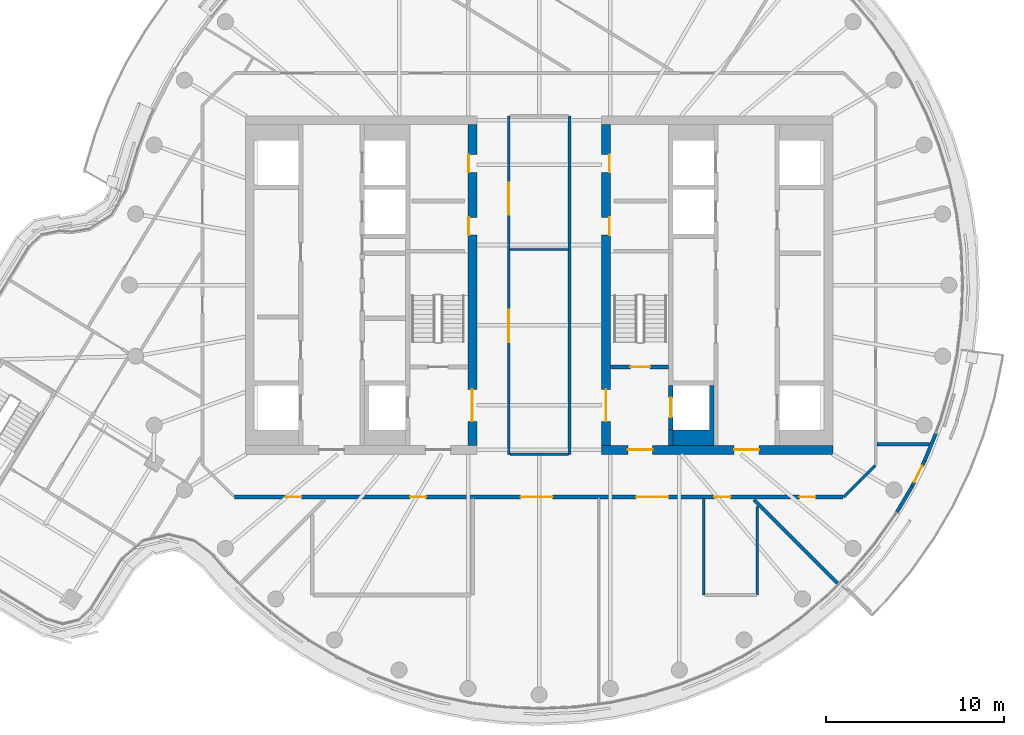
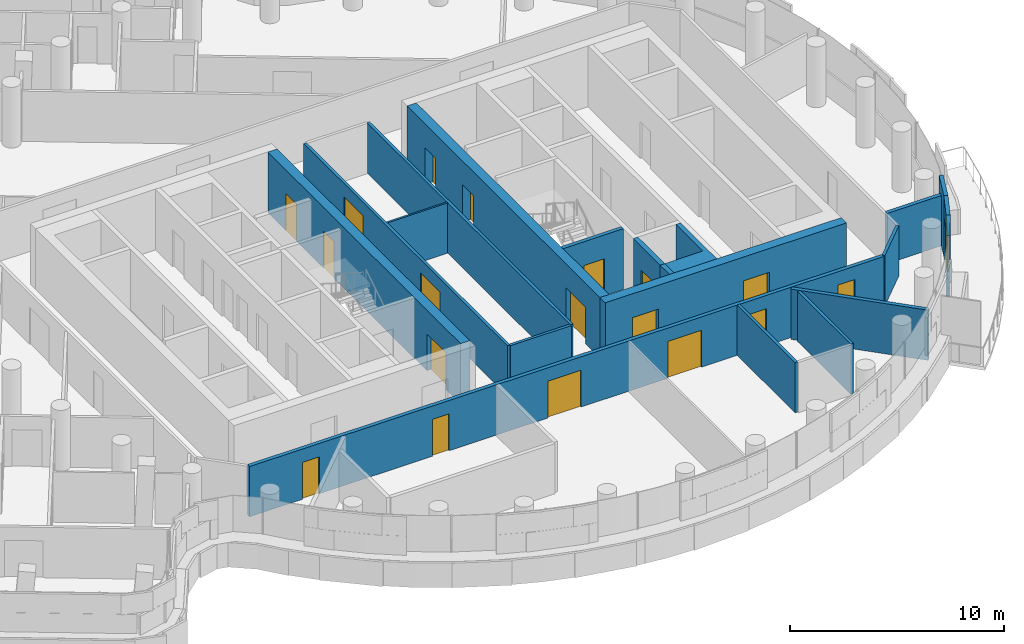
# One storey, part 18 of 27: 20 walls, 19 doors, 19 openings.
"""IFC4 building model written with IfcOpenShell, lengths in metres."""

from ifc_helpers import new_model, si_unit, direction, frame, frame_2d, origin, place, context, subcontext, project, spatial, polyline, rectangle, outline, extrude, material, layer, layer_set, type_object, element, fill, save


model = new_model("IFC4")

# Units and contexts
model_context = context("Model", 3, precision=1e-05, world=origin(), true_north=direction((0.0, 1.0)))
body_context = subcontext(model_context, "Body", "Model", "MODEL_VIEW")
ifc_project = project(units=[si_unit("LENGTHUNIT", "METRE"), si_unit("AREAUNIT", "SQUARE_METRE"), si_unit("VOLUMEUNIT", "CUBIC_METRE"), si_unit("PLANEANGLEUNIT", "RADIAN"), si_unit("MASSUNIT", "GRAM", prefix="KILO")], contexts=[model_context])

# Site, building, storey
site_placement = place(None, origin())
site = spatial("IfcSite", under=ifc_project, at=site_placement, CompositionType="ELEMENT")
building_placement = place(site_placement, origin())
building = spatial("IfcBuilding", under=site, at=building_placement, Name="Tamarind Cross Interchange Tower", CompositionType="ELEMENT")
storey_placement = place(building_placement, frame((0.0, 0.0, 245.10009765625)))
storey = spatial("IfcBuildingStorey", under=building, at=storey_placement, Name="L62", CompositionType="ELEMENT", Elevation=245.10009765625)

# Walls
ifc_material_1 = material(Name="Concrete C40", Category="concrete")
ifc_layer_1 = layer(ifc_material_1, 0.199951171875)
ifc_layer_set_1 = layer_set([ifc_layer_1], Name="Concrete C40")
wall_type_1 = type_object("IfcWallType", Name="Balcony and garden door wall", PredefinedType="SOLIDWALL", material=ifc_layer_set_1)
wall_1_placement = place(storey_placement, frame((20.08203125, -12.7509765625, 0.0), z_axis=(0.0, 0.0, 1.0), x_axis=(0.508205434936, 0.86123587704, 0.0)))
element("IfcWall", 1, at=wall_1_placement, inside=storey, type_object=wall_type_1, Name="EXW-L62-06-D11L", PredefinedType="SOLIDWALL", context=body_context, shape_type="SweptSolid", body=[
    extrude(rectangle(XDim=1.66455078125, YDim=0.199951171875, at=frame_2d((0.832275390625, 0.0))), origin(), (0.0, 0.0, 1.0), 3.4599609375),
])
wall_2_placement = place(storey_placement, frame((21.63134765625, -9.880615234375, 0.0), z_axis=(0.0, 0.0, 1.0), x_axis=(0.380860529155, 0.924632498527, 0.0)))
element("IfcWall", 2, at=wall_2_placement, inside=storey, type_object=wall_type_1, Name="EXW-L62-06-D11R", PredefinedType="SOLIDWALL", context=body_context, shape_type="SweptSolid", body=[
    extrude(rectangle(XDim=1.66357421875, YDim=0.199951171875, at=frame_2d((0.831787109375, 0.0))), origin(), (0.0, 0.0, 1.0), 3.4599609375),
])

# Wall, opening, door
wall_3_placement = place(storey_placement, frame((20.927978515625, -11.3173828125, 0.0), z_axis=(0.0, 0.0, 1.0), x_axis=(0.439689088119, 0.898150046367, 0.0)))
wall_3 = element("IfcWall", 3, at=wall_3_placement, inside=storey, type_object=wall_type_1, Name="EXW-L62-06-D11", PredefinedType="SOLIDWALL", context=body_context, shape_type="SweptSolid", body=[
    extrude(rectangle(XDim=1.599609375, YDim=0.199951171875, at=frame_2d((0.7998046875, 0.0))), origin(), (0.0, 0.0, 1.0), 3.4599609375),
])
opening_1_placement = place(wall_3_placement, frame((0.2998046875, 0.0, 0.0)))
opening_1 = element("IfcOpeningElement", 4, at=opening_1_placement, cuts=wall_3, Name="Opening D2", PredefinedType="OPENING", context=body_context, shape_type="SweptSolid", body=[
    extrude(rectangle(XDim=1.0, YDim=2.39990234375, at=frame_2d((0.5, 1.199951171875))), frame((0.0, 0.10986328125, 0.0), z_axis=(0.0, -1.0, 0.0), x_axis=(1.0, 0.0, 0.0)), (0.0, 0.0, 1.0), 0.219970703125),
])
ifc_material_2 = material(Name="Aluminium and toughened glass", Category="aluminium")
door_type_1 = type_object("IfcDoorType", Name="Balcony and garden door", OperationType="SINGLE_SWING_LEFT", PredefinedType="DOOR", material=ifc_material_2)
door_1_placement = place(opening_1_placement, origin())
door_1 = element("IfcDoor", 5, at=door_1_placement, inside=storey, type_object=door_type_1, Name="DOR-L62-06-11", OperationType="SINGLE_SWING_LEFT", OverallHeight=2.39990234375, OverallWidth=1.0, PredefinedType="DOOR", context=body_context, shape_type="SweptSolid", body=[
    extrude(rectangle(XDim=1.0, YDim=2.39990234375, at=frame_2d((0.5, 1.199951171875))), frame((0.0, 0.02490234375, 0.0), z_axis=(0.0, -1.0, 0.0), x_axis=(1.0, 0.0, 0.0)), (0.0, 0.0, 1.0), 0.050048828125),
])
fill(opening_1, door_1)

# Wall, openings, doors
ifc_material_3 = material(Name="Concrete C50", Category="concrete")
ifc_layer_2 = layer(ifc_material_3, 0.5)
ifc_layer_set_2 = layer_set([ifc_layer_2], Name="Concrete C50")
wall_type_2 = type_object("IfcWallType", Name="Core wall 500 mm Concrete C50", PredefinedType="SHEAR", material=ifc_layer_set_2)
wall_4_placement = place(storey_placement, frame((-3.75, -9.0, 0.0), z_axis=(0.0, 0.0, 1.0), x_axis=(0.0, 1.0, 0.0)))
wall_4 = element("IfcWall", 6, at=wall_4_placement, inside=storey, type_object=wall_type_2, Name="Core wall CWL-L62-W-IN", PredefinedType="SHEAR", context=body_context, shape_type="SweptSolid", body=[
    extrude(rectangle(XDim=18.0, YDim=0.5, at=frame_2d((9.0, 0.0))), origin(), (0.0, 0.0, 1.0), 3.4599609375),
])
opening_2_placement = place(wall_4_placement, frame((1.35009765625, 0.0, 0.0)))
opening_2 = element("IfcOpeningElement", 7, at=opening_2_placement, cuts=wall_4, Name="Opening DCW4", PredefinedType="OPENING", context=body_context, shape_type="SweptSolid", body=[
    extrude(rectangle(XDim=1.800048828125, YDim=2.10009765625, at=frame_2d((0.89990234375, 1.050048828125))), frame((0.0, 0.260009765625, 0.0), z_axis=(0.0, -1.0, 0.0), x_axis=(1.0, 0.0, 0.0)), (0.0, 0.0, 1.0), 0.52001953125),
])
opening_3_placement = place(wall_4_placement, frame((11.797607421875, 0.0, 0.0)))
opening_3 = element("IfcOpeningElement", 8, at=opening_3_placement, cuts=wall_4, Name="Opening DCW5", PredefinedType="OPENING", context=body_context, shape_type="SweptSolid", body=[
    extrude(rectangle(XDim=1.0, YDim=2.10009765625, at=frame_2d((0.5, 1.050048828125))), frame((0.0, 0.260009765625, 0.0), z_axis=(0.0, -1.0, 0.0), x_axis=(1.0, 0.0, 0.0)), (0.0, 0.0, 1.0), 0.52001953125),
])
opening_4_placement = place(wall_4_placement, frame((15.322509765625, 0.0, 0.0)))
opening_4 = element("IfcOpeningElement", 9, at=opening_4_placement, cuts=wall_4, Name="Opening DCW5", PredefinedType="OPENING", context=body_context, shape_type="SweptSolid", body=[
    extrude(rectangle(XDim=1.0, YDim=2.10009765625, at=frame_2d((0.5, 1.050048828125))), frame((0.0, 0.260009765625, 0.0), z_axis=(0.0, -1.0, 0.0), x_axis=(1.0, 0.0, 0.0)), (0.0, 0.0, 1.0), 0.52001953125),
])
ifc_material_4 = material(Name="Steel, fire-resisting", Category="steel")
door_type_2 = type_object("IfcDoorType", Name="Core fire door 1000 x 2100 FD90", OperationType="SINGLE_SWING_LEFT", PredefinedType="DOOR", material=ifc_material_4)
door_2_placement = place(opening_3_placement, origin())
door_2 = element("IfcDoor", 10, at=door_2_placement, inside=storey, type_object=door_type_2, Name="L62 linen press door", OperationType="SINGLE_SWING_LEFT", OverallHeight=2.10009765625, OverallWidth=1.0, PredefinedType="DOOR", context=body_context, shape_type="SweptSolid", body=[
    extrude(rectangle(XDim=1.0, YDim=2.10009765625, at=frame_2d((0.5, 1.050048828125))), frame((0.0, 0.22509765625, 0.0), z_axis=(0.0, -1.0, 0.0), x_axis=(1.0, 0.0, 0.0)), (0.0, 0.0, 1.0), 0.050048828125),
])
fill(opening_3, door_2)
door_3_placement = place(opening_4_placement, origin())
door_3 = element("IfcDoor", 11, at=door_3_placement, inside=storey, type_object=door_type_2, Name="L62 housekeeping pantry door", OperationType="SINGLE_SWING_LEFT", OverallHeight=2.10009765625, OverallWidth=1.0, PredefinedType="DOOR", context=body_context, shape_type="SweptSolid", body=[
    extrude(rectangle(XDim=1.0, YDim=2.10009765625, at=frame_2d((0.5, 1.050048828125))), frame((0.0, 0.22509765625, 0.0), z_axis=(0.0, -1.0, 0.0), x_axis=(1.0, 0.0, 0.0)), (0.0, 0.0, 1.0), 0.050048828125),
])
fill(opening_4, door_3)
door_type_3 = type_object("IfcDoorType", Name="Core fire door 1800 x 2100 FD90", OperationType="SINGLE_SWING_LEFT", PredefinedType="DOOR", material=ifc_material_4)
door_4_placement = place(opening_2_placement, origin())
door_4 = element("IfcDoor", 12, at=door_4_placement, inside=storey, type_object=door_type_3, Name="L62 firefighting lobby door", OperationType="SINGLE_SWING_LEFT", OverallHeight=2.10009765625, OverallWidth=1.800048828125, PredefinedType="DOOR", context=body_context, shape_type="SweptSolid", body=[
    extrude(rectangle(XDim=1.800048828125, YDim=2.10009765625, at=frame_2d((0.89990234375, 1.050048828125))), frame((0.0, 0.02490234375, 0.0), z_axis=(0.0, -1.0, 0.0), x_axis=(1.0, 0.0, 0.0)), (0.0, 0.0, 1.0), 0.050048828125),
])
fill(opening_2, door_4)

wall_5_placement = place(storey_placement, frame((16.5, -9.25, 0.0), z_axis=(0.0, 0.0, 1.0), x_axis=(-1.0, 0.0, 0.0)))
wall_5 = element("IfcWall", 13, at=wall_5_placement, inside=storey, type_object=wall_type_2, Name="Core wall CWL-L62-E-S", PredefinedType="SHEAR", context=body_context, shape_type="SweptSolid", body=[
    extrude(rectangle(XDim=13.0, YDim=0.5, at=frame_2d((6.5, 0.0))), origin(), (0.0, 0.0, 1.0), 3.4599609375),
])
opening_5_placement = place(wall_5_placement, frame((4.14990234375, 0.0, 0.0)))
opening_5 = element("IfcOpeningElement", 14, at=opening_5_placement, cuts=wall_5, Name="Opening DCE1", PredefinedType="OPENING", context=body_context, shape_type="SweptSolid", body=[
    extrude(rectangle(XDim=1.39990234375, YDim=2.10009765625, at=frame_2d((0.699951171875, 1.050048828125))), frame((0.0, 0.260009765625, 0.0), z_axis=(0.0, -1.0, 0.0), x_axis=(1.0, 0.0, 0.0)), (0.0, 0.0, 1.0), 0.52001953125),
])
opening_6_placement = place(wall_5_placement, frame((10.125, 0.0, 0.0)))
opening_6 = element("IfcOpeningElement", 15, at=opening_6_placement, cuts=wall_5, Name="Opening DCEF", PredefinedType="OPENING", context=body_context, shape_type="SweptSolid", body=[
    extrude(rectangle(XDim=1.39990234375, YDim=2.10009765625, at=frame_2d((0.699951171875, 1.050048828125))), frame((0.0, 0.260009765625, 0.0), z_axis=(0.0, -1.0, 0.0), x_axis=(1.0, 0.0, 0.0)), (0.0, 0.0, 1.0), 0.52001953125),
])
door_type_4 = type_object("IfcDoorType", Name="Core fire door 1400 x 2100 FD90", OperationType="SINGLE_SWING_LEFT", PredefinedType="DOOR", material=ifc_material_4)
door_5_placement = place(opening_5_placement, origin())
door_5 = element("IfcDoor", 16, at=door_5_placement, inside=storey, type_object=door_type_4, Name="L62 lift lobby door", OperationType="SINGLE_SWING_LEFT", OverallHeight=2.10009765625, OverallWidth=1.39990234375, PredefinedType="DOOR", context=body_context, shape_type="SweptSolid", body=[
    extrude(rectangle(XDim=1.39990234375, YDim=2.10009765625, at=frame_2d((0.699951171875, 1.050048828125))), frame((0.0, 0.02490234375, 0.0), z_axis=(0.0, -1.0, 0.0), x_axis=(1.0, 0.0, 0.0)), (0.0, 0.0, 1.0), 0.050048828125),
])
fill(opening_5, door_5)
door_6_placement = place(opening_6_placement, origin())
door_6 = element("IfcDoor", 17, at=door_6_placement, inside=storey, type_object=door_type_4, Name="L62 firefighting lobby end door", OperationType="SINGLE_SWING_LEFT", OverallHeight=2.10009765625, OverallWidth=1.39990234375, PredefinedType="DOOR", context=body_context, shape_type="SweptSolid", body=[
    extrude(rectangle(XDim=1.39990234375, YDim=2.10009765625, at=frame_2d((0.699951171875, 1.050048828125))), frame((0.0, 0.02490234375, 0.0), z_axis=(0.0, -1.0, 0.0), x_axis=(1.0, 0.0, 0.0)), (0.0, 0.0, 1.0), 0.050048828125),
])
fill(opening_6, door_6)

wall_6_placement = place(storey_placement, frame((3.75, -9.0, 0.0), z_axis=(0.0, 0.0, 1.0), x_axis=(0.0, 1.0, 0.0)))
wall_6 = element("IfcWall", 18, at=wall_6_placement, inside=storey, type_object=wall_type_2, Name="Core wall CWL-L62-E-IN", PredefinedType="SHEAR", context=body_context, shape_type="SweptSolid", body=[
    extrude(rectangle(XDim=18.0, YDim=0.5, at=frame_2d((9.0, 0.0))), origin(), (0.0, 0.0, 1.0), 3.4599609375),
])
opening_7_placement = place(wall_6_placement, frame((1.35009765625, 0.0, 0.0)))
opening_7 = element("IfcOpeningElement", 19, at=opening_7_placement, cuts=wall_6, Name="Opening DCE4", PredefinedType="OPENING", context=body_context, shape_type="SweptSolid", body=[
    extrude(rectangle(XDim=1.800048828125, YDim=2.10009765625, at=frame_2d((0.89990234375, 1.050048828125))), frame((0.0, 0.260009765625, 0.0), z_axis=(0.0, -1.0, 0.0), x_axis=(1.0, 0.0, 0.0)), (0.0, 0.0, 1.0), 0.52001953125),
])
opening_8_placement = place(wall_6_placement, frame((11.797607421875, 0.0, 0.0)))
opening_8 = element("IfcOpeningElement", 20, at=opening_8_placement, cuts=wall_6, Name="Opening DCE5", PredefinedType="OPENING", context=body_context, shape_type="SweptSolid", body=[
    extrude(rectangle(XDim=1.0, YDim=2.10009765625, at=frame_2d((0.5, 1.050048828125))), frame((0.0, 0.260009765625, 0.0), z_axis=(0.0, -1.0, 0.0), x_axis=(1.0, 0.0, 0.0)), (0.0, 0.0, 1.0), 0.52001953125),
])
opening_9_placement = place(wall_6_placement, frame((15.322509765625, 0.0, 0.0)))
opening_9 = element("IfcOpeningElement", 21, at=opening_9_placement, cuts=wall_6, Name="Opening DCE5", PredefinedType="OPENING", context=body_context, shape_type="SweptSolid", body=[
    extrude(rectangle(XDim=1.0, YDim=2.10009765625, at=frame_2d((0.5, 1.050048828125))), frame((0.0, 0.260009765625, 0.0), z_axis=(0.0, -1.0, 0.0), x_axis=(1.0, 0.0, 0.0)), (0.0, 0.0, 1.0), 0.52001953125),
])
door_7_placement = place(opening_8_placement, origin())
door_7 = element("IfcDoor", 22, at=door_7_placement, inside=storey, type_object=door_type_2, Name="L62 linen press door", OperationType="SINGLE_SWING_LEFT", OverallHeight=2.10009765625, OverallWidth=1.0, PredefinedType="DOOR", context=body_context, shape_type="SweptSolid", body=[
    extrude(rectangle(XDim=1.0, YDim=2.10009765625, at=frame_2d((0.5, 1.050048828125))), frame((0.0, -0.1748046875, 0.0), z_axis=(0.0, -1.0, 0.0), x_axis=(1.0, 0.0, 0.0)), (0.0, 0.0, 1.0), 0.050048828125),
])
fill(opening_8, door_7)
door_8_placement = place(opening_9_placement, origin())
door_8 = element("IfcDoor", 23, at=door_8_placement, inside=storey, type_object=door_type_2, Name="L62 housekeeping pantry door", OperationType="SINGLE_SWING_LEFT", OverallHeight=2.10009765625, OverallWidth=1.0, PredefinedType="DOOR", context=body_context, shape_type="SweptSolid", body=[
    extrude(rectangle(XDim=1.0, YDim=2.10009765625, at=frame_2d((0.5, 1.050048828125))), frame((0.0, -0.1748046875, 0.0), z_axis=(0.0, -1.0, 0.0), x_axis=(1.0, 0.0, 0.0)), (0.0, 0.0, 1.0), 0.050048828125),
])
fill(opening_9, door_8)
door_9_placement = place(opening_7_placement, origin())
door_9 = element("IfcDoor", 24, at=door_9_placement, inside=storey, type_object=door_type_3, Name="L62 firefighting lobby door", OperationType="SINGLE_SWING_LEFT", OverallHeight=2.10009765625, OverallWidth=1.800048828125, PredefinedType="DOOR", context=body_context, shape_type="SweptSolid", body=[
    extrude(rectangle(XDim=1.800048828125, YDim=2.10009765625, at=frame_2d((0.89990234375, 1.050048828125))), frame((0.0, 0.02490234375, 0.0), z_axis=(0.0, -1.0, 0.0), x_axis=(1.0, 0.0, 0.0)), (0.0, 0.0, 1.0), 0.050048828125),
])
fill(opening_7, door_9)

# Walls
ifc_layer_3 = layer(ifc_material_3, 0.25)
ifc_layer_set_3 = layer_set([ifc_layer_3], Name="Concrete C50")
wall_type_3 = type_object("IfcWallType", Name="Core web wall 250 mm Concrete C50", PredefinedType="SHEAR", material=ifc_layer_set_3)
wall_7_placement = place(storey_placement, origin())
element("IfcWall", 25, at=wall_7_placement, inside=storey, type_object=wall_type_3, Name="Core wall CWL-L62-E-BS", PredefinedType="SHEAR", context=body_context, shape_type="SweptSolid", body=[
    extrude(outline(polyline([(7.5, -8.125), (7.5, -9.0), (9.800048828125, -9.0), (9.800048828125, -8.125), (9.800048828125, -5.625), (9.550048828125, -5.625), (9.550048828125, -8.125), (7.5, -8.125)])), origin(), (0.0, 0.0, 1.0), 3.4599609375),
])
wall_8_placement = place(storey_placement, frame((7.375, -9.0, 0.0), z_axis=(0.0, 0.0, 1.0), x_axis=(0.0, 1.0, 0.0)))
element("IfcWall", 26, at=wall_8_placement, inside=storey, type_object=wall_type_3, Name="Core wall CWL-L62-E-BW", PredefinedType="SHEAR", context=body_context, shape_type="SweptSolid", body=[
    extrude(rectangle(XDim=0.875, YDim=0.25, at=frame_2d((0.4375, 0.0))), origin(), (0.0, 0.0, 1.0), 3.4599609375),
])

# Wall, opening, door
wall_9_placement = place(storey_placement, frame((7.375, -8.125, 0.0), z_axis=(0.0, 0.0, 1.0), x_axis=(0.0, 1.0, 0.0)))
wall_9 = element("IfcWall", 27, at=wall_9_placement, inside=storey, type_object=wall_type_3, Name="Core wall CWL-L62-E-FF", PredefinedType="SHEAR", context=body_context, shape_type="SweptSolid", body=[
    extrude(rectangle(XDim=2.5, YDim=0.25, at=frame_2d((1.25, 0.0))), origin(), (0.0, 0.0, 1.0), 3.4599609375),
])
opening_10_placement = place(wall_9_placement, frame((0.699951171875, 0.0, 0.0)))
opening_10 = element("IfcOpeningElement", 28, at=opening_10_placement, cuts=wall_9, Name="Opening LD19L62", PredefinedType="OPENING", context=body_context, shape_type="SweptSolid", body=[
    extrude(rectangle(XDim=1.10009765625, YDim=2.10009765625, at=frame_2d((0.550048828125, 1.050048828125))), frame((0.0, 0.135009765625, 0.0), z_axis=(0.0, -1.0, 0.0), x_axis=(1.0, 0.0, 0.0)), (0.0, 0.0, 1.0), 0.27001953125),
])
ifc_material_5 = material(Name="Stainless steel panel", Category="steel")
door_type_5 = type_object("IfcDoorType", Name="Lift landing door 1100 x 2100 E 120", OperationType="SLIDING_TO_LEFT", PredefinedType="DOOR", material=ifc_material_5)
door_10_placement = place(opening_10_placement, origin())
door_10 = element("IfcDoor", 29, at=door_10_placement, inside=storey, type_object=door_type_5, Name="L62 landing door LF19", OperationType="SLIDING_TO_LEFT", OverallHeight=2.10009765625, OverallWidth=1.10009765625, PredefinedType="DOOR", context=body_context, shape_type="SweptSolid", body=[
    extrude(rectangle(XDim=1.10009765625, YDim=2.10009765625, at=frame_2d((0.550048828125, 1.050048828125))), frame((0.0, 0.02490234375, 0.0), z_axis=(0.0, -1.0, 0.0), x_axis=(1.0, 0.0, 0.0)), (0.0, 0.0, 1.0), 0.050048828125),
])
fill(opening_10, door_10)

# Walls
ifc_material_6 = material(Name="Gypsum board partition on steel studs", Category="steel")
ifc_layer_4 = layer(ifc_material_6, 0.10009765625)
ifc_layer_set_4 = layer_set([ifc_layer_4], Name="Gypsum board partition on steel studs")
wall_type_4 = type_object("IfcWallType", Name="Partition 100 mm EI 120", PredefinedType="PARTITIONING", material=ifc_layer_set_4)
wall_10_placement = place(storey_placement, frame((-1.639892578125, 2.0, 0.0), z_axis=(0.0, 0.0, 1.0), x_axis=(1.0, 0.0, 0.0)))
element("IfcWall", 30, at=wall_10_placement, inside=storey, type_object=wall_type_4, Name="Partition L62-030", PredefinedType="PARTITIONING", context=body_context, shape_type="SweptSolid", body=[
    extrude(rectangle(XDim=3.27978515625, YDim=0.10009765625, at=frame_2d((1.639892578125, 0.0))), origin(), (0.0, 0.0, 1.0), 2.864013671875),
])
ifc_layer_5 = layer(ifc_material_6, 0.14990234375)
ifc_layer_set_5 = layer_set([ifc_layer_5], Name="Gypsum board partition on steel studs")
wall_type_5 = type_object("IfcWallType", Name="Partition 150 mm EI 120", PredefinedType="PARTITIONING", material=ifc_layer_set_5)
wall_11_placement = place(storey_placement, frame((-1.639892578125, -9.5, 0.0), z_axis=(0.0, 0.0, 1.0), x_axis=(1.0, 0.0, 0.0)))
element("IfcWall", 31, at=wall_11_placement, inside=storey, type_object=wall_type_5, Name="Partition L62-029", PredefinedType="PARTITIONING", context=body_context, shape_type="SweptSolid", body=[
    extrude(rectangle(XDim=3.27978515625, YDim=0.14990234375, at=frame_2d((1.639892578125, 0.0))), origin(), (0.0, 0.0, 1.0), 2.864013671875),
])
wall_12_placement = place(storey_placement, frame((17.10009765625, -11.89990234375, 0.0), z_axis=(0.0, 0.0, 1.0), x_axis=(0.707106781187, 0.707106781187, 0.0)))
element("IfcWall", 32, at=wall_12_placement, inside=storey, type_object=wall_type_5, Name="Partition L62-036", PredefinedType="PARTITIONING", context=body_context, shape_type="SweptSolid", body=[
    extrude(rectangle(XDim=2.50537109375, YDim=0.14990234375, at=frame_2d((1.252685546875, 0.0))), origin(), (0.0, 0.0, 1.0), 2.864013671875),
])

# Wall, openings, doors
wall_13_placement = place(storey_placement, frame((-1.699951171875, -9.5, 0.0), z_axis=(0.0, 0.0, 1.0), x_axis=(0.0, 1.0, 0.0)))
wall_13 = element("IfcWall", 33, at=wall_13_placement, inside=storey, type_object=wall_type_5, Name="Partition L62-059", PredefinedType="PARTITIONING", context=body_context, shape_type="SweptSolid", body=[
    extrude(rectangle(XDim=19.0, YDim=0.14990234375, at=frame_2d((9.5, 0.0))), origin(), (0.0, 0.0, 1.0), 2.864013671875),
])
opening_11_placement = place(wall_13_placement, frame((6.300048828125, 0.0, 0.0)))
opening_11 = element("IfcOpeningElement", 34, at=opening_11_placement, cuts=wall_13, Name="Opening D30", PredefinedType="OPENING", context=body_context, shape_type="SweptSolid", body=[
    extrude(rectangle(XDim=1.800048828125, YDim=2.10009765625, at=frame_2d((0.89990234375, 1.050048828125))), frame((0.0, 0.0849609375, 0.0), z_axis=(0.0, -1.0, 0.0), x_axis=(1.0, 0.0, 0.0)), (0.0, 0.0, 1.0), 0.169921875),
])
opening_12_placement = place(wall_13_placement, frame((13.449951171875, 0.0, 0.0)))
opening_12 = element("IfcOpeningElement", 35, at=opening_12_placement, cuts=wall_13, Name="Opening D31", PredefinedType="OPENING", context=body_context, shape_type="SweptSolid", body=[
    extrude(rectangle(XDim=1.800048828125, YDim=2.10009765625, at=frame_2d((0.89990234375, 1.050048828125))), frame((0.0, 0.0849609375, 0.0), z_axis=(0.0, -1.0, 0.0), x_axis=(1.0, 0.0, 0.0)), (0.0, 0.0, 1.0), 0.169921875),
])
ifc_material_7 = material(Name="Fire-resisting door set")
door_type_6 = type_object("IfcDoorType", Name="Interior door 1800 x 2100 FD60S", OperationType="DOUBLE_DOOR_SINGLE_SWING", PredefinedType="DOOR", material=ifc_material_7)
door_11_placement = place(opening_11_placement, frame((1.800048828125, 0.0, 0.0), z_axis=(0.0, 0.0, 1.0), x_axis=(-1.0, 0.0, 0.0)))
door_11 = element("IfcDoor", 36, at=door_11_placement, inside=storey, type_object=door_type_6, Name="Door D30", OperationType="DOUBLE_DOOR_SINGLE_SWING", OverallHeight=2.10009765625, OverallWidth=1.800048828125, PredefinedType="DOOR", context=body_context, shape_type="SweptSolid", body=[
    extrude(rectangle(XDim=1.800048828125, YDim=2.10009765625, at=frame_2d((0.89990234375, 1.050048828125))), frame((0.0, 0.02490234375, 0.0), z_axis=(0.0, -1.0, 0.0), x_axis=(1.0, 0.0, 0.0)), (0.0, 0.0, 1.0), 0.050048828125),
])
fill(opening_11, door_11)
door_12_placement = place(opening_12_placement, frame((1.800048828125, 0.0, 0.0), z_axis=(0.0, 0.0, 1.0), x_axis=(-1.0, 0.0, 0.0)))
door_12 = element("IfcDoor", 37, at=door_12_placement, inside=storey, type_object=door_type_6, Name="Door D31", OperationType="DOUBLE_DOOR_SINGLE_SWING", OverallHeight=2.10009765625, OverallWidth=1.800048828125, PredefinedType="DOOR", context=body_context, shape_type="SweptSolid", body=[
    extrude(rectangle(XDim=1.800048828125, YDim=2.10009765625, at=frame_2d((0.89990234375, 1.050048828125))), frame((0.0, 0.02490234375, 0.0), z_axis=(0.0, -1.0, 0.0), x_axis=(1.0, 0.0, 0.0)), (0.0, 0.0, 1.0), 0.050048828125),
])
fill(opening_12, door_12)

# Walls
wall_14_placement = place(storey_placement, frame((1.699951171875, -9.5, 0.0), z_axis=(0.0, 0.0, 1.0), x_axis=(0.0, 1.0, 0.0)))
element("IfcWall", 38, at=wall_14_placement, inside=storey, type_object=wall_type_5, Name="Partition L62-060", PredefinedType="PARTITIONING", context=body_context, shape_type="SweptSolid", body=[
    extrude(rectangle(XDim=19.0, YDim=0.14990234375, at=frame_2d((9.5, 0.0))), origin(), (0.0, 0.0, 1.0), 2.864013671875),
])
wall_15_placement = place(storey_placement, frame((9.240966796875, -17.39990234375, 0.0), z_axis=(0.0, 0.0, 1.0), x_axis=(0.0, 1.0, 0.0)))
element("IfcWall", 39, at=wall_15_placement, inside=storey, type_object=wall_type_5, Name="Partition L62-062", PredefinedType="PARTITIONING", context=body_context, shape_type="SweptSolid", body=[
    extrude(rectangle(XDim=5.419921875, YDim=0.14990234375, at=frame_2d((2.7099609375, 0.0))), origin(), (0.0, 0.0, 1.0), 2.864013671875),
])
wall_16_placement = place(storey_placement, frame((12.240966796875, -17.39990234375, 0.0), z_axis=(0.0, 0.0, 1.0), x_axis=(0.0, 1.0, 0.0)))
element("IfcWall", 40, at=wall_16_placement, inside=storey, type_object=wall_type_5, Name="Partition L62-063", PredefinedType="PARTITIONING", context=body_context, shape_type="SweptSolid", body=[
    extrude(rectangle(XDim=4.958984375, YDim=0.14990234375, at=frame_2d((2.4794921875, 0.0))), origin(), (0.0, 0.0, 1.0), 2.864013671875),
])
ifc_layer_6 = layer(ifc_material_6, 0.199951171875)
ifc_layer_set_6 = layer_set([ifc_layer_6], Name="Gypsum board partition on steel studs")
wall_type_6 = type_object("IfcWallType", Name="Partition 200 mm EI 180", PredefinedType="PARTITIONING", material=ifc_layer_set_6)
wall_17_placement = place(storey_placement, frame((12.052001953125, -12.052001953125, 0.0), z_axis=(0.0, 0.0, 1.0), x_axis=(0.707106781187, -0.707106781187, 0.0)))
element("IfcWall", 41, at=wall_17_placement, inside=storey, type_object=wall_type_6, Name="Partition L62-002", PredefinedType="PARTITIONING", context=body_context, shape_type="SweptSolid", body=[
    extrude(rectangle(XDim=6.630615234375, YDim=0.199951171875, at=frame_2d((3.3154296875, 0.0))), origin(), (0.0, 0.0, 1.0), 2.864013671875),
])

# Wall, openings, doors
wall_18_placement = place(storey_placement, frame((-17.10009765625, -11.89990234375, 0.0), z_axis=(0.0, 0.0, 1.0), x_axis=(1.0, 0.0, 0.0)))
wall_18 = element("IfcWall", 42, at=wall_18_placement, inside=storey, type_object=wall_type_6, Name="Partition L62-025", PredefinedType="PARTITIONING", context=body_context, shape_type="SweptSolid", body=[
    extrude(rectangle(XDim=34.1650390625, YDim=0.199951171875, at=frame_2d((17.08251953125, 0.0))), origin(), (0.0, 0.0, 1.0), 2.864013671875),
])
opening_13_placement = place(wall_18_placement, frame((9.85009765625, 0.0, 0.0)))
opening_13 = element("IfcOpeningElement", 43, at=opening_13_placement, cuts=wall_18, Name="Opening D10", PredefinedType="OPENING", context=body_context, shape_type="SweptSolid", body=[
    extrude(rectangle(XDim=0.89990234375, YDim=2.10009765625, at=frame_2d((0.449951171875, 1.050048828125))), frame((0.0, 0.10986328125, 0.0), z_axis=(0.0, -1.0, 0.0), x_axis=(1.0, 0.0, 0.0)), (0.0, 0.0, 1.0), 0.219970703125),
])
opening_14_placement = place(wall_18_placement, frame((26.94091796875, 0.0, 0.0)))
opening_14 = element("IfcOpeningElement", 44, at=opening_14_placement, cuts=wall_18, Name="Opening D11", PredefinedType="OPENING", context=body_context, shape_type="SweptSolid", body=[
    extrude(rectangle(XDim=0.89990234375, YDim=2.10009765625, at=frame_2d((0.449951171875, 1.050048828125))), frame((0.0, 0.10986328125, 0.0), z_axis=(0.0, -1.0, 0.0), x_axis=(1.0, 0.0, 0.0)), (0.0, 0.0, 1.0), 0.219970703125),
])
opening_15_placement = place(wall_18_placement, frame((16.05908203125, 0.0, 0.0)))
opening_15 = element("IfcOpeningElement", 45, at=opening_15_placement, cuts=wall_18, Name="Opening D12", PredefinedType="OPENING", context=body_context, shape_type="SweptSolid", body=[
    extrude(rectangle(XDim=1.800048828125, YDim=2.10009765625, at=frame_2d((0.89990234375, 1.050048828125))), frame((0.0, 0.10986328125, 0.0), z_axis=(0.0, -1.0, 0.0), x_axis=(1.0, 0.0, 0.0)), (0.0, 0.0, 1.0), 0.219970703125),
])
opening_16_placement = place(wall_18_placement, frame((22.548095703125, 0.0, 0.0)))
opening_16 = element("IfcOpeningElement", 46, at=opening_16_placement, cuts=wall_18, Name="Opening D13", PredefinedType="OPENING", context=body_context, shape_type="SweptSolid", body=[
    extrude(rectangle(XDim=1.800048828125, YDim=2.10009765625, at=frame_2d((0.89990234375, 1.050048828125))), frame((0.0, 0.10986328125, 0.0), z_axis=(0.0, -1.0, 0.0), x_axis=(1.0, 0.0, 0.0)), (0.0, 0.0, 1.0), 0.219970703125),
])
opening_17_placement = place(wall_18_placement, frame((31.699951171875, 0.0, 0.0)))
opening_17 = element("IfcOpeningElement", 47, at=opening_17_placement, cuts=wall_18, Name="Opening D14", PredefinedType="OPENING", context=body_context, shape_type="SweptSolid", body=[
    extrude(rectangle(XDim=0.89990234375, YDim=2.10009765625, at=frame_2d((0.449951171875, 1.050048828125))), frame((0.0, 0.10986328125, 0.0), z_axis=(0.0, -1.0, 0.0), x_axis=(1.0, 0.0, 0.0)), (0.0, 0.0, 1.0), 0.219970703125),
])
opening_18_placement = place(wall_18_placement, frame((2.85009765625, 0.0, 0.0)))
opening_18 = element("IfcOpeningElement", 48, at=opening_18_placement, cuts=wall_18, Name="Opening D15", PredefinedType="OPENING", context=body_context, shape_type="SweptSolid", body=[
    extrude(rectangle(XDim=0.89990234375, YDim=2.10009765625, at=frame_2d((0.449951171875, 1.050048828125))), frame((0.0, 0.10986328125, 0.0), z_axis=(0.0, -1.0, 0.0), x_axis=(1.0, 0.0, 0.0)), (0.0, 0.0, 1.0), 0.219970703125),
])
door_type_7 = type_object("IfcDoorType", Name="Interior door 1800 x 2100 FD120S", OperationType="DOUBLE_DOOR_SINGLE_SWING", PredefinedType="DOOR", material=ifc_material_7)
door_13_placement = place(opening_15_placement, origin())
door_13 = element("IfcDoor", 49, at=door_13_placement, inside=storey, type_object=door_type_7, Name="Door D12", OperationType="DOUBLE_DOOR_SINGLE_SWING", OverallHeight=2.10009765625, OverallWidth=1.800048828125, PredefinedType="DOOR", context=body_context, shape_type="SweptSolid", body=[
    extrude(rectangle(XDim=1.800048828125, YDim=2.10009765625, at=frame_2d((0.89990234375, 1.050048828125))), frame((0.0, 0.02490234375, 0.0), z_axis=(0.0, -1.0, 0.0), x_axis=(1.0, 0.0, 0.0)), (0.0, 0.0, 1.0), 0.050048828125),
])
fill(opening_15, door_13)
door_14_placement = place(opening_16_placement, frame((1.800048828125, 0.0, 0.0), z_axis=(0.0, 0.0, 1.0), x_axis=(-1.0, 0.0, 0.0)))
door_14 = element("IfcDoor", 50, at=door_14_placement, inside=storey, type_object=door_type_7, Name="Door D13", OperationType="DOUBLE_DOOR_SINGLE_SWING", OverallHeight=2.10009765625, OverallWidth=1.800048828125, PredefinedType="DOOR", context=body_context, shape_type="SweptSolid", body=[
    extrude(rectangle(XDim=1.800048828125, YDim=2.10009765625, at=frame_2d((0.89990234375, 1.050048828125))), frame((0.0, 0.02490234375, 0.0), z_axis=(0.0, -1.0, 0.0), x_axis=(1.0, 0.0, 0.0)), (0.0, 0.0, 1.0), 0.050048828125),
])
fill(opening_16, door_14)
door_type_8 = type_object("IfcDoorType", Name="Interior door 900 x 2100 FD120S", OperationType="SINGLE_SWING_LEFT", PredefinedType="DOOR", material=ifc_material_7)
door_15_placement = place(opening_13_placement, frame((0.89990234375, 0.0, 0.0), z_axis=(0.0, 0.0, 1.0), x_axis=(-1.0, 0.0, 0.0)))
door_15 = element("IfcDoor", 51, at=door_15_placement, inside=storey, type_object=door_type_8, Name="Door D10", OperationType="SINGLE_SWING_LEFT", OverallHeight=2.10009765625, OverallWidth=0.89990234375, PredefinedType="DOOR", context=body_context, shape_type="SweptSolid", body=[
    extrude(rectangle(XDim=0.89990234375, YDim=2.10009765625, at=frame_2d((0.449951171875, 1.050048828125))), frame((0.0, 0.02490234375, 0.0), z_axis=(0.0, -1.0, 0.0), x_axis=(1.0, 0.0, 0.0)), (0.0, 0.0, 1.0), 0.050048828125),
])
fill(opening_13, door_15)
door_16_placement = place(opening_14_placement, frame((0.89990234375, 0.0, 0.0), z_axis=(0.0, 0.0, 1.0), x_axis=(-1.0, 0.0, 0.0)))
door_16 = element("IfcDoor", 52, at=door_16_placement, inside=storey, type_object=door_type_8, Name="Door D11", OperationType="SINGLE_SWING_RIGHT", OverallHeight=2.10009765625, OverallWidth=0.89990234375, PredefinedType="DOOR", context=body_context, shape_type="SweptSolid", body=[
    extrude(rectangle(XDim=0.89990234375, YDim=2.10009765625, at=frame_2d((0.449951171875, 1.050048828125))), frame((0.0, 0.02490234375, 0.0), z_axis=(0.0, -1.0, 0.0), x_axis=(1.0, 0.0, 0.0)), (0.0, 0.0, 1.0), 0.050048828125),
])
fill(opening_14, door_16)
door_17_placement = place(opening_17_placement, frame((0.89990234375, 0.0, 0.0), z_axis=(0.0, 0.0, 1.0), x_axis=(-1.0, 0.0, 0.0)))
door_17 = element("IfcDoor", 53, at=door_17_placement, inside=storey, type_object=door_type_8, Name="Door D14", OperationType="SINGLE_SWING_RIGHT", OverallHeight=2.10009765625, OverallWidth=0.89990234375, PredefinedType="DOOR", context=body_context, shape_type="SweptSolid", body=[
    extrude(rectangle(XDim=0.89990234375, YDim=2.10009765625, at=frame_2d((0.449951171875, 1.050048828125))), frame((0.0, 0.02490234375, 0.0), z_axis=(0.0, -1.0, 0.0), x_axis=(1.0, 0.0, 0.0)), (0.0, 0.0, 1.0), 0.050048828125),
])
fill(opening_17, door_17)
door_18_placement = place(opening_18_placement, frame((0.89990234375, 0.0, 0.0), z_axis=(0.0, 0.0, 1.0), x_axis=(-1.0, 0.0, 0.0)))
door_18 = element("IfcDoor", 54, at=door_18_placement, inside=storey, type_object=door_type_8, Name="Door D15", OperationType="SINGLE_SWING_LEFT", OverallHeight=2.10009765625, OverallWidth=0.89990234375, PredefinedType="DOOR", context=body_context, shape_type="SweptSolid", body=[
    extrude(rectangle(XDim=0.89990234375, YDim=2.10009765625, at=frame_2d((0.449951171875, 1.050048828125))), frame((0.0, 0.02490234375, 0.0), z_axis=(0.0, -1.0, 0.0), x_axis=(1.0, 0.0, 0.0)), (0.0, 0.0, 1.0), 0.050048828125),
])
fill(opening_18, door_18)

# Wall
wall_19_placement = place(storey_placement, frame((18.955078125, -8.946044921875, 0.0), z_axis=(0.0, 0.0, 1.0), x_axis=(1.0, 0.0, 0.0)))
element("IfcWall", 55, at=wall_19_placement, inside=storey, type_object=wall_type_6, Name="Partition L62-032", PredefinedType="PARTITIONING", context=body_context, shape_type="SweptSolid", body=[
    extrude(rectangle(XDim=2.96923828125, YDim=0.199951171875, at=frame_2d((1.484619140625, 0.0))), origin(), (0.0, 0.0, 1.0), 2.864013671875),
])

# Wall, opening, door
ifc_layer_7 = layer(ifc_material_1, 0.199951171875)
ifc_layer_set_7 = layer_set([ifc_layer_7], Name="Concrete C40")
wall_type_7 = type_object("IfcWallType", Name="Stair shaft wall 200 mm Concrete C40", PredefinedType="SHEAR", material=ifc_layer_set_7)
wall_20_placement = place(storey_placement, frame((7.25, -4.60009765625, 0.0), z_axis=(0.0, 0.0, 1.0), x_axis=(-1.0, 0.0, 0.0)))
wall_20 = element("IfcWall", 56, at=wall_20_placement, inside=storey, type_object=wall_type_7, Name="Core wall CWL-L62-E-SD", PredefinedType="SHEAR", context=body_context, shape_type="SweptSolid", body=[
    extrude(rectangle(XDim=3.25, YDim=0.199951171875, at=frame_2d((1.625, 0.0))), origin(), (0.0, 0.0, 1.0), 3.4599609375),
])
opening_19_placement = place(wall_20_placement, frame((1.02490234375, 0.0, 0.0)))
opening_19 = element("IfcOpeningElement", 57, at=opening_19_placement, cuts=wall_20, Name="Opening DCE6", PredefinedType="OPENING", context=body_context, shape_type="SweptSolid", body=[
    extrude(rectangle(XDim=1.10009765625, YDim=2.10009765625, at=frame_2d((0.550048828125, 1.050048828125))), frame((0.0, 0.10986328125, 0.0), z_axis=(0.0, -1.0, 0.0), x_axis=(1.0, 0.0, 0.0)), (0.0, 0.0, 1.0), 0.219970703125),
])
door_type_9 = type_object("IfcDoorType", Name="Core fire door 1100 x 2100 FD90", OperationType="SINGLE_SWING_LEFT", PredefinedType="DOOR", material=ifc_material_4)
door_19_placement = place(opening_19_placement, origin())
door_19 = element("IfcDoor", 58, at=door_19_placement, inside=storey, type_object=door_type_9, Name="L62 stair door", OperationType="SINGLE_SWING_LEFT", OverallHeight=2.10009765625, OverallWidth=1.10009765625, PredefinedType="DOOR", context=body_context, shape_type="SweptSolid", body=[
    extrude(rectangle(XDim=1.10009765625, YDim=2.10009765625, at=frame_2d((0.550048828125, 1.050048828125))), frame((0.0, 0.02490234375, 0.0), z_axis=(0.0, -1.0, 0.0), x_axis=(1.0, 0.0, 0.0)), (0.0, 0.0, 1.0), 0.050048828125),
])
fill(opening_19, door_19)

save(model, "model.ifc")
